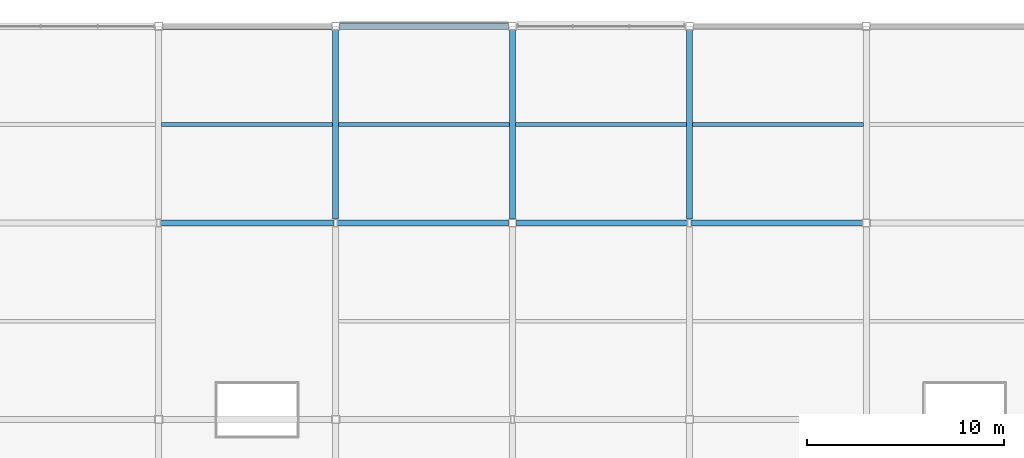
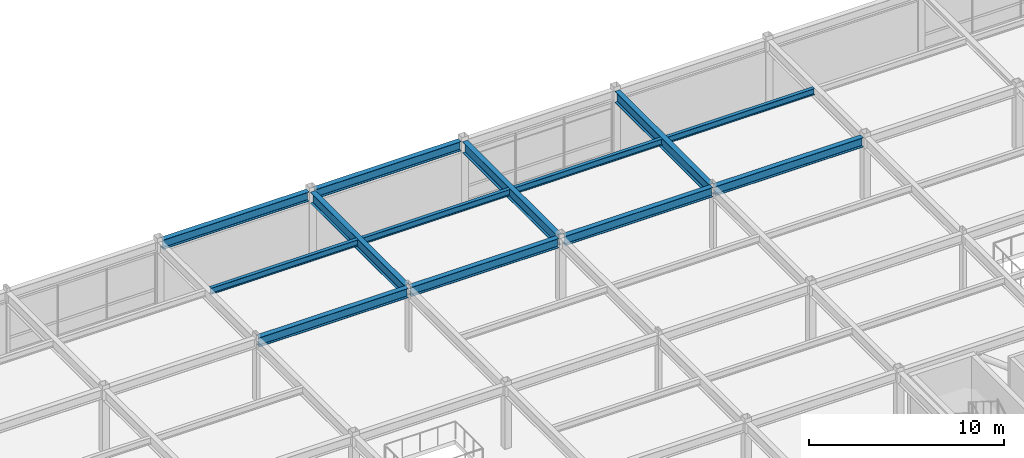
# One storey, part 30 of 70: 13 beams.
"""IFC4 building model written with IfcOpenShell, lengths in metres."""

from ifc_helpers import new_model, si_unit, direction, frame, origin, origin_2d, place, context, subcontext, project, spatial, i_section, extrude, material, material_profile, profile_set, type_object, element, save


model = new_model("IFC4")

# Units and contexts
model_context = context("Model", 3, precision=1e-05, world=origin(), true_north=direction((0.0, 1.0)))
body_context = subcontext(model_context, "Body", "Model", "MODEL_VIEW")
ifc_project = project(units=[si_unit("LENGTHUNIT", "METRE"), si_unit("AREAUNIT", "SQUARE_METRE"), si_unit("VOLUMEUNIT", "CUBIC_METRE"), si_unit("PLANEANGLEUNIT", "RADIAN"), si_unit("MASSUNIT", "GRAM", prefix="KILO")], contexts=[model_context])

# Site, building, storey
site_placement = place(None, origin())
site = spatial("IfcSite", under=ifc_project, at=site_placement, CompositionType="ELEMENT")
building_placement = place(site_placement, origin())
building = spatial("IfcBuilding", under=site, at=building_placement, Name="Suzunagisa Mobility Hub", CompositionType="ELEMENT")
storey_placement = place(building_placement, frame((0.0, 0.0, 13.5)))
storey = spatial("IfcBuildingStorey", under=building, at=storey_placement, Name="L03", CompositionType="ELEMENT", Elevation=13.5)

# Beams
ifc_material_1 = material(Name="Steel SN490B", Category="steel")
ifc_material_profile_1 = material_profile(ifc_material_1, i_section(OverallWidth=0.300048828125, OverallDepth=0.699951171875, WebThickness=0.012939453125, FlangeThickness=0.02392578125, FilletRadius=0.01806640625, at=origin_2d()), Name="H-700x300x13x24")
ifc_profile_set_1 = profile_set([ifc_material_profile_1], Name="Steel SN490B")
beam_type_1 = type_object("IfcBeamType", Name="Steel Beam BM-11 H-700x300x13x24", PredefinedType="BEAM", material=ifc_profile_set_1)
for number, where, z_axis, x_axis, name in (
    (1, (72.0, 108.196044921875, 3.60009765625), (0.0, 1.0, 0.0), (-1.0, 0.0, 0.0), "L03 Primary Girder GY-1078"),
    (2, (81.0, 108.196044921875, 3.60009765625), (0.0, 1.0, 0.0), (-1.0, 0.0, 0.0), "L03 Primary Girder GY-1082"),
    (3, (90.0, 108.196044921875, 3.60009765625), (0.0, 1.0, 0.0), (-1.0, 0.0, 0.0), "L03 Primary Girder GY-1086"),
):
    element("IfcBeam", number, at=place(storey_placement, frame(where, z_axis=z_axis, x_axis=x_axis)), inside=storey, type_object=beam_type_1, Name=name, PredefinedType="BEAM", context=body_context, shape_type="SweptSolid", body=[
        extrude(i_section(OverallWidth=0.300048828125, OverallDepth=0.699951171875, WebThickness=0.012939453125, FlangeThickness=0.02392578125, FilletRadius=0.01806640625, at=origin_2d()), origin(), (0.0, 0.0, 1.0), 9.60791015625),
    ])
ifc_material_2 = material(Name="Steel SN400B", Category="steel")
ifc_material_profile_2 = material_profile(ifc_material_2, i_section(OverallWidth=0.199951171875, OverallDepth=0.39990234375, WebThickness=0.008056640625, FlangeThickness=0.012939453125, FilletRadius=0.012939453125, at=origin_2d()), Name="H-400x200x8x13")
ifc_profile_set_2 = profile_set([ifc_material_profile_2], Name="Steel SN400B")
beam_type_2 = type_object("IfcBeamType", Name="Steel Beam BM-14 H-400x200x8x13", PredefinedType="JOIST", material=ifc_profile_set_2)
for number, where, z_axis, x_axis, name in (
    (4, (63.14990234375, 113.0, 3.75), (1.0, 0.0, 0.0), (0.0, 1.0, 0.0), "L03 Composite Floor Joist J-1103"),
    (5, (72.14990234375, 113.0, 3.75), (1.0, 0.0, 0.0), (0.0, 1.0, 0.0), "L03 Composite Floor Joist J-1107"),
    (6, (81.14990234375, 113.0, 3.75), (1.0, 0.0, 0.0), (0.0, 1.0, 0.0), "L03 Composite Floor Joist J-1111"),
    (7, (90.14990234375, 113.0, 3.75), (1.0, 0.0, 0.0), (0.0, 1.0, 0.0), "L03 Composite Floor Joist J-1114"),
):
    element("IfcBeam", number, at=place(storey_placement, frame(where, z_axis=z_axis, x_axis=x_axis)), inside=storey, type_object=beam_type_2, Name=name, PredefinedType="JOIST", context=body_context, shape_type="SweptSolid", body=[
        extrude(i_section(OverallWidth=0.199951171875, OverallDepth=0.39990234375, WebThickness=0.008056640625, FlangeThickness=0.012939453125, FilletRadius=0.012939453125, at=origin_2d()), origin(), (0.0, 0.0, 1.0), 8.7001953125),
    ])
ifc_material_profile_3 = material_profile(ifc_material_1, i_section(OverallWidth=0.300048828125, OverallDepth=0.587890625, WebThickness=0.011962890625, FlangeThickness=0.02001953125, FilletRadius=0.012939453125, at=origin_2d()), Name="H-588x300x12x20")
ifc_profile_set_3 = profile_set([ifc_material_profile_3], Name="Steel SN490B")
beam_type_3 = type_object("IfcBeamType", Name="Steel Beam BM-16 H-588x300x12x20", PredefinedType="BEAM", material=ifc_profile_set_3)
beam_placement = place(storey_placement, frame((63.095947265625, 108.0, 3.656005859375), z_axis=(1.0, 0.0, 0.0), x_axis=(0.0, 1.0, 0.0)))
element("IfcBeam", 8, at=beam_placement, inside=storey, type_object=beam_type_3, Name="L03 Primary Girder GX-1051", PredefinedType="BEAM", context=body_context, shape_type="SweptSolid", body=[
    extrude(i_section(OverallWidth=0.300048828125, OverallDepth=0.587890625, WebThickness=0.011962890625, FlangeThickness=0.02001953125, FilletRadius=0.012939453125, at=origin_2d()), origin(), (0.0, 0.0, 1.0), 8.80810546875),
])
for number, where, z_axis, x_axis, name in (
    (9, (72.095947265625, 108.0, 3.656005859375), (1.0, 0.0, 0.0), (0.0, 1.0, 0.0), "L03 Primary Girder GX-1052"),
    (10, (81.196044921875, 108.0, 3.656005859375), (1.0, 0.0, 0.0), (0.0, 1.0, 0.0), "L03 Primary Girder GX-1053"),
    (11, (90.095947265625, 108.0, 3.656005859375), (1.0, 0.0, 0.0), (0.0, 1.0, 0.0), "L03 Primary Girder GX-1054"),
):
    element("IfcBeam", number, at=place(storey_placement, frame(where, z_axis=z_axis, x_axis=x_axis)), inside=storey, type_object=beam_type_3, Name=name, PredefinedType="BEAM", context=body_context, shape_type="SweptSolid", body=[
        extrude(i_section(OverallWidth=0.300048828125, OverallDepth=0.587890625, WebThickness=0.011962890625, FlangeThickness=0.02001953125, FilletRadius=0.012939453125, at=origin_2d()), origin(), (0.0, 0.0, 1.0), 8.7080078125),
    ])
for number, where, z_axis, x_axis, name in (
    (12, (63.196044921875, 118.0, 3.656005859375), (1.0, 0.0, 0.0), (0.0, 1.0, 0.0), "L03 Primary Girder GX-1058"),
    (13, (72.196044921875, 118.0, 3.656005859375), (1.0, 0.0, 0.0), (0.0, 1.0, 0.0), "L03 Primary Girder GX-1059"),
):
    element("IfcBeam", number, at=place(storey_placement, frame(where, z_axis=z_axis, x_axis=x_axis)), inside=storey, type_object=beam_type_3, Name=name, PredefinedType="BEAM", context=body_context, shape_type="SweptSolid", body=[
        extrude(i_section(OverallWidth=0.300048828125, OverallDepth=0.587890625, WebThickness=0.011962890625, FlangeThickness=0.02001953125, FilletRadius=0.012939453125, at=origin_2d()), origin(), (0.0, 0.0, 1.0), 8.60791015625),
    ])

save(model, "model.ifc")
